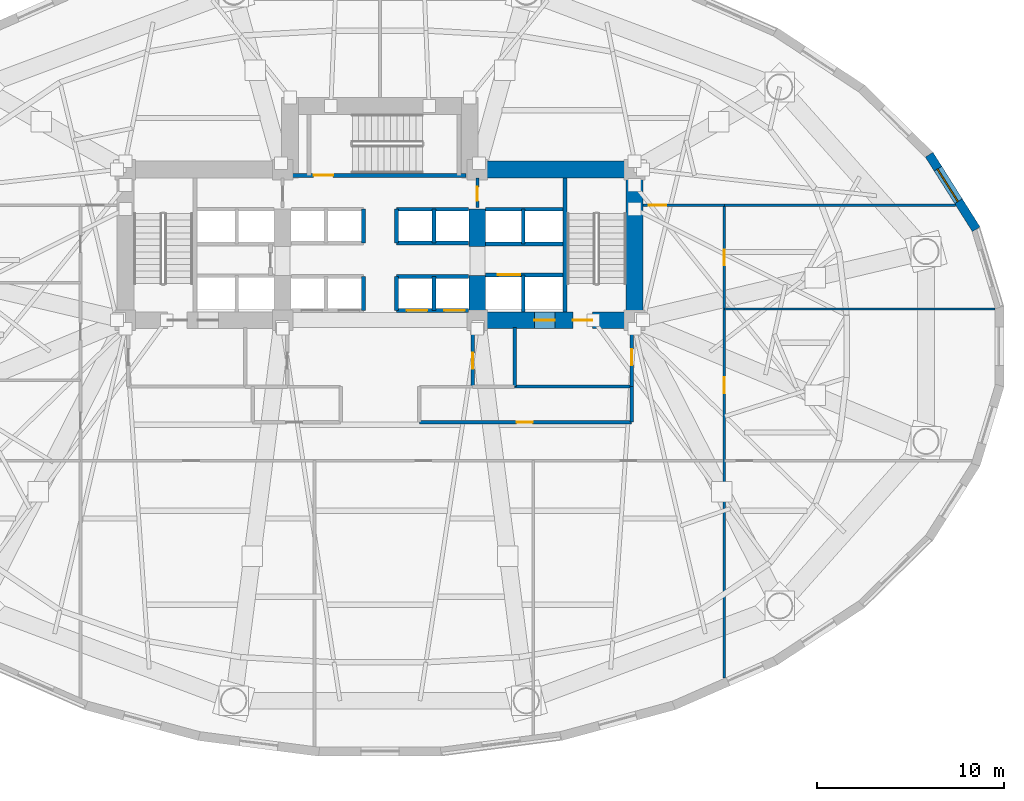
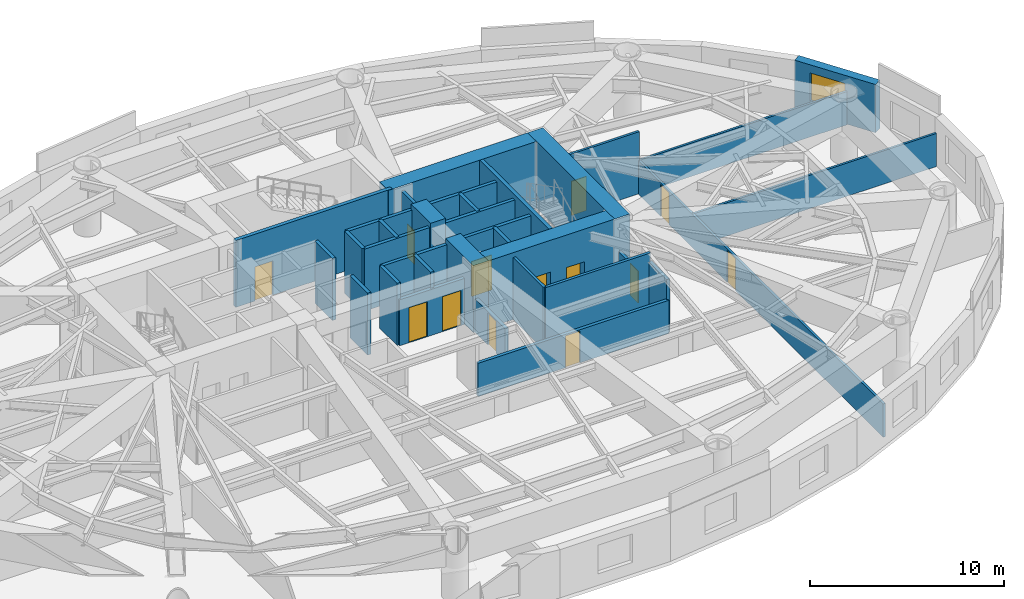
# One storey, part 7 of 14: 34 walls, 13 doors, 1 window, 14 openings.
"""IFC4 building model written with IfcOpenShell, lengths in metres."""

import ifcopenshell
import ifcopenshell.guid

model = None  # the IFC model being written
_history = None  # IfcOwnerHistory: only IFC2X3 demands one
_inside = {}  # id of a spatial element -> (the spatial element, [elements in it])
_under = {}  # id of a project, library or spatial element -> (it, [spatial elements below it])
_declared = {}  # id of a project -> (the project, [libraries it declares])
_typed = {}  # id of a type object -> (the type object, [elements of that type])
_made_of = {}  # id of a material, layer set ... -> (it, [elements and type objects made of it])


def new_model(schema):
    """Start an empty IFC model of exactly this schema.

    Asked for "IFC4X3", IfcOpenShell would pick the latest addendum, in which some entities
    have other attributes; the version numbers below select the first issue.
    IFC2X3 requires an IfcOwnerHistory on every rooted entity: one is made here for all.
    """
    global model, _history
    if schema == "IFC4X3":
        model = ifcopenshell.file(schema_version=(4, 3, 0, 0))
    else:
        model = ifcopenshell.file(schema=schema)
    _inside.clear()
    _under.clear()
    _declared.clear()
    _typed.clear()
    _made_of.clear()
    _history = None
    if model.schema == "IFC2X3":
        org = make("IfcOrganization", Name="unknown")
        user = make(
            "IfcPersonAndOrganization",
            ThePerson=make("IfcPerson", FamilyName="unknown"),
            TheOrganization=org,
        )
        app = make(
            "IfcApplication",
            ApplicationDeveloper=org,
            Version="unknown",
            ApplicationFullName="unknown",
            ApplicationIdentifier="unknown",
        )
        _history = make(
            "IfcOwnerHistory",
            OwningUser=user,
            OwningApplication=app,
            ChangeAction="ADDED",
            CreationDate=0,
        )
    return model


def make(cls, **values):
    """One entity of the class cls with the attributes given. An attribute that is None is left unset."""
    return model.create_entity(
        cls, **{name: value for name, value in values.items() if value is not None}
    )


def rooted(cls, **values):
    """An entity with a GlobalId (a new one), such as an element, a storey or a relation."""
    return make(cls, GlobalId=ifcopenshell.guid.new(), OwnerHistory=_history, **values)


def si_unit(unit_type, name, prefix=None):
    """IfcSIUnit, for example si_unit("LENGTHUNIT", "METRE", prefix="MILLI")."""
    return make("IfcSIUnit", UnitType=unit_type, Prefix=prefix, Name=name)


def assignment(units):
    """IfcUnitAssignment: the units of a project."""
    return None if units is None else make("IfcUnitAssignment", Units=units)


def point(xyz):
    """IfcCartesianPoint."""
    return None if xyz is None else make("IfcCartesianPoint", Coordinates=xyz)


def direction(xyz):
    """IfcDirection."""
    return None if xyz is None else make("IfcDirection", DirectionRatios=xyz)


def frame(location, z_axis=None, x_axis=None):
    """IfcAxis2Placement3D, a coordinate frame: its origin and axes. An axis left out is left unset."""
    return make(
        "IfcAxis2Placement3D",
        Location=point(location),
        Axis=direction(z_axis),
        RefDirection=direction(x_axis),
    )


def frame_2d(location, x_axis=None):
    """IfcAxis2Placement2D, a coordinate frame in the plane: its origin and x axis."""
    return make(
        "IfcAxis2Placement2D", Location=point(location), RefDirection=direction(x_axis)
    )


def origin():
    """The frame at (0, 0, 0) with its axes left unset."""
    return frame((0.0, 0.0, 0.0))


def place(relative_to, where):
    """IfcLocalPlacement: puts the frame where relative to a parent placement (None: the world)."""
    return make(
        "IfcLocalPlacement", PlacementRelTo=relative_to, RelativePlacement=where
    )


def context(
    kind, dimensions, precision=None, world=None, true_north=None, identifier=None
):
    """IfcGeometricRepresentationContext, for example the 3D "Model" context."""
    return make(
        "IfcGeometricRepresentationContext",
        ContextIdentifier=identifier,
        ContextType=kind,
        CoordinateSpaceDimension=dimensions,
        Precision=precision,
        WorldCoordinateSystem=world,
        TrueNorth=true_north,
    )


def subcontext(parent, identifier, kind, view, scale=None):
    """IfcGeometricRepresentationSubContext, for example "Body" below "Model"."""
    return make(
        "IfcGeometricRepresentationSubContext",
        ContextIdentifier=identifier,
        ContextType=kind,
        ParentContext=parent,
        TargetScale=scale,
        TargetView=view,
    )


def project(units=None, contexts=None):
    """IfcProject with its units and contexts."""
    return rooted(
        "IfcProject",
        Name="project",
        RepresentationContexts=contexts,
        UnitsInContext=assignment(units),
    )


def spatial(cls, under=None, at=None, **own):
    """A site, building, storey or space (cls), placed at a placement, below another one or the project."""
    s = rooted(cls, ObjectPlacement=at, **own)
    if under is not None:
        _under.setdefault(under.id(), (under, []))[1].append(s)
    return s


def profile(cls, at=None, kind="AREA", **sizes):
    """A parametric profile (cls). Its sizes go by their IFC names, for example OverallWidth=200.0."""
    return make(cls, ProfileType=kind, Position=at, **sizes)


def rectangle(**sizes):
    """IfcRectangleProfileDef."""
    return profile("IfcRectangleProfileDef", **sizes)


def extrude(swept, where, along, depth):
    """IfcExtrudedAreaSolid: the profile swept, set in the frame where, extruded along a direction by depth."""
    return make(
        "IfcExtrudedAreaSolid",
        SweptArea=swept,
        Position=where,
        ExtrudedDirection=direction(along),
        Depth=depth,
    )


def shape(context_of_items, identifier, shape_type, items):
    """IfcShapeRepresentation: the items that make up one representation, for example the "Body"."""
    return make(
        "IfcShapeRepresentation",
        ContextOfItems=context_of_items,
        RepresentationIdentifier=identifier,
        RepresentationType=shape_type,
        Items=items,
    )


def material(Name=None, Category=None):
    """IfcMaterial."""
    return make("IfcMaterial", Name=Name, Category=Category)


def layer(
    of_material, thickness, ventilated=None, Name=None, Category=None, Priority=None
):
    """IfcMaterialLayer: one layer of a wall or slab, of a material (None: an air gap)."""
    return make(
        "IfcMaterialLayer",
        Material=of_material,
        LayerThickness=thickness,
        IsVentilated=ventilated,
        Name=Name,
        Category=Category,
        Priority=Priority,
    )


def layer_set(layers, Name=None):
    """IfcMaterialLayerSet."""
    return make("IfcMaterialLayerSet", MaterialLayers=layers, LayerSetName=Name)


def made_of(thing, what):
    """Note that an element or type object is made of a material, layer set ...; save() writes the relation."""
    if what is not None:
        _made_of.setdefault(what.id(), (what, []))[1].append(thing)
    return thing


def type_object(cls, material=None, **own):
    """A type object (cls), such as IfcWallType, which elements share."""
    return made_of(rooted(cls, **own), material)


def element(
    cls,
    number,
    at=None,
    inside=None,
    cuts=None,
    type_object=None,
    material=None,
    context=None,
    identifier="Body",
    shape_type=None,
    held_by="IfcProductDefinitionShape",
    body=None,
    shapes=None,
    **own,
):
    """One element of the class cls, such as IfcWall. Its Tag is "e" and its number.

    at: its placement. inside: the storey or other place that contains it. cuts: it is an
    opening in that element (IfcRelVoidsElement). A single representation is given by context,
    identifier, shape_type and body (its items); several are given by shapes. held_by: the class
    of the entity that holds the representations. save() writes the other relations.
    """
    e = rooted(cls, Tag="e%d" % number, ObjectPlacement=at, **own)
    if body is not None:
        shapes = [shape(context, identifier, shape_type, body)]
    if shapes is not None:
        e.Representation = make(held_by, Representations=shapes)
    if inside is not None:
        _inside.setdefault(inside.id(), (inside, []))[1].append(e)
    if cuts is not None:
        rooted(
            "IfcRelVoidsElement", RelatingBuildingElement=cuts, RelatedOpeningElement=e
        )
    if type_object is not None:
        _typed.setdefault(type_object.id(), (type_object, []))[1].append(e)
    return made_of(e, material)


def fill(opening, filler):
    """IfcRelFillsElement: the door or window that sits in an opening."""
    return rooted(
        "IfcRelFillsElement",
        RelatingOpeningElement=opening,
        RelatedBuildingElement=filler,
    )


def aggregate(whole, parts):
    """IfcRelAggregates: a whole, such as a stair, and the parts it consists of."""
    return rooted("IfcRelAggregates", RelatingObject=whole, RelatedObjects=parts)


def save(model, path):
    """Write the relations noted so far, then the file.

    IfcRelAggregates (storeys below a building ...), IfcRelContainedInSpatialStructure (elements
    in a storey), IfcRelDefinesByType, IfcRelAssociatesMaterial and IfcRelDeclares: one each for
    every whole, place, type object, material and project.
    """
    for whole, parts in _under.values():
        aggregate(whole, parts)
    for where, things in _inside.values():
        rooted(
            "IfcRelContainedInSpatialStructure",
            RelatedElements=things,
            RelatingStructure=where,
        )
    for kind, things in _typed.values():
        rooted("IfcRelDefinesByType", RelatedObjects=things, RelatingType=kind)
    for what, things in _made_of.values():
        rooted("IfcRelAssociatesMaterial", RelatedObjects=things, RelatingMaterial=what)
    for by, libraries in _declared.values():
        rooted("IfcRelDeclares", RelatingContext=by, RelatedDefinitions=libraries)
    model.write(path)


model = new_model("IFC4")

# Units and contexts
model_context = context("Model", 3, precision=1e-05, world=origin(), true_north=direction((0.0, 1.0)))
body_context = subcontext(model_context, "Body", "Model", "MODEL_VIEW")
ifc_project = project(units=[si_unit("LENGTHUNIT", "METRE"), si_unit("AREAUNIT", "SQUARE_METRE"), si_unit("VOLUMEUNIT", "CUBIC_METRE"), si_unit("PLANEANGLEUNIT", "RADIAN"), si_unit("MASSUNIT", "GRAM", prefix="KILO")], contexts=[model_context])

# Site, building, storey
site_placement = place(None, origin())
site = spatial("IfcSite", under=ifc_project, at=site_placement, CompositionType="ELEMENT")
building_placement = place(site_placement, origin())
building = spatial("IfcBuilding", under=site, at=building_placement, Name="Keldmark Tower", CompositionType="ELEMENT")
storey_placement = place(building_placement, frame((0.0, 0.0, 22.800048828125)))
storey = spatial("IfcBuildingStorey", under=building, at=storey_placement, Name="L05", CompositionType="ELEMENT", Elevation=22.800048828125)

# Wall, openings, doors
ifc_material_1 = material(Name="Acoustic Double-Layer Gypsum Corridor Partition", Category="gypsum")
ifc_layer_1 = layer(ifc_material_1, 0.139892578125)
ifc_layer_set_1 = layer_set([ifc_layer_1], Name="Acoustic Double-Layer Gypsum Corridor Partition")
wall_type_1 = type_object("IfcWallType", Name="Acoustic Corridor Partition 140 mm", PredefinedType="PARTITIONING", material=ifc_layer_set_1)
wall_1_placement = place(storey_placement, frame((18.39990234375, -17.724853515625, 0.0), z_axis=(0.0, 0.0, 1.0), x_axis=(0.0, 1.0, 0.0)))
wall_1 = element("IfcWall", 1, at=wall_1_placement, inside=storey, type_object=wall_type_1, Name="L05 Acoustic Corridor Partition 140 mm COR-E", PredefinedType="PARTITIONING", context=body_context, shape_type="SweptSolid", body=[
    extrude(rectangle(XDim=25.27490234375, YDim=0.139892578125, at=frame_2d((12.637451171875, 0.0))), origin(), (0.0, 0.0, 1.0), 2.08984375),
])
opening_1_placement = place(wall_1_placement, frame((15.225341796875, 0.0, 0.0)))
opening_1 = element("IfcOpeningElement", 2, at=opening_1_placement, cuts=wall_1, Name="Opening D-CUD85", PredefinedType="OPENING", context=body_context, shape_type="SweptSolid", body=[
    extrude(rectangle(XDim=0.85009765625, YDim=2.0, at=frame_2d((0.425048828125, 1.0))), frame((0.0, 0.079833984375, 0.0), z_axis=(0.0, -1.0, 0.0), x_axis=(1.0, 0.0, 0.0)), (0.0, 0.0, 1.0), 0.159912109375),
])
opening_2_placement = place(wall_1_placement, frame((22.05029296875, 0.0, 0.0)))
opening_2 = element("IfcOpeningElement", 3, at=opening_2_placement, cuts=wall_1, Name="Opening D-CUD85", PredefinedType="OPENING", context=body_context, shape_type="SweptSolid", body=[
    extrude(rectangle(XDim=0.85009765625, YDim=2.0, at=frame_2d((0.425048828125, 1.0))), frame((0.0, 0.079833984375, 0.0), z_axis=(0.0, -1.0, 0.0), x_axis=(1.0, 0.0, 0.0)), (0.0, 0.0, 1.0), 0.159912109375),
])
ifc_material_2 = material(Name="Compact Flush Solid-Core Timber Door", Category="wood")
door_type_1 = type_object("IfcDoorType", Name="Compact Unrated Door 850x2000", OperationType="NOTDEFINED", PredefinedType="DOOR", material=ifc_material_2)
door_1_placement = place(opening_1_placement, origin())
door_1 = element("IfcDoor", 4, at=door_1_placement, inside=storey, type_object=door_type_1, Name="L05 Compact Unrated Door 850x2000 D-ER-1-L05", OperationType="SINGLE_SWING_RIGHT", OverallHeight=2.0, OverallWidth=0.85009765625, PredefinedType="DOOR", context=body_context, shape_type="SweptSolid", body=[
    extrude(rectangle(XDim=0.85009765625, YDim=2.0, at=frame_2d((0.425048828125, 1.0))), frame((0.0, 0.02490234375, 0.0), z_axis=(0.0, -1.0, 0.0), x_axis=(1.0, 0.0, 0.0)), (0.0, 0.0, 1.0), 0.050048828125),
])
fill(opening_1, door_1)
door_2_placement = place(opening_2_placement, origin())
door_2 = element("IfcDoor", 5, at=door_2_placement, inside=storey, type_object=door_type_1, Name="L05 Compact Unrated Door 850x2000 D-ER-2-L05", OperationType="SINGLE_SWING_LEFT", OverallHeight=2.0, OverallWidth=0.85009765625, PredefinedType="DOOR", context=body_context, shape_type="SweptSolid", body=[
    extrude(rectangle(XDim=0.85009765625, YDim=2.0, at=frame_2d((0.425048828125, 1.0))), frame((0.0, 0.02490234375, 0.0), z_axis=(0.0, -1.0, 0.0), x_axis=(1.0, 0.0, 0.0)), (0.0, 0.0, 1.0), 0.050048828125),
])
fill(opening_2, door_2)

# Wall, opening, door
wall_2_placement = place(storey_placement, frame((14.050048828125, 7.550048828125, 0.0), z_axis=(0.0, 0.0, 1.0), x_axis=(1.0, 0.0, 0.0)))
wall_2 = element("IfcWall", 6, at=wall_2_placement, inside=storey, type_object=wall_type_1, Name="L05 Acoustic Corridor Partition 140 mm COR-EN-CAP", PredefinedType="PARTITIONING", context=body_context, shape_type="SweptSolid", body=[
    extrude(rectangle(XDim=4.349853515625, YDim=0.139892578125, at=frame_2d((2.1748046875, 0.0))), origin(), (0.0, 0.0, 1.0), 3.89990234375),
])
opening_3_placement = place(wall_2_placement, frame((0.320068359375, 0.0, 0.0)))
opening_3 = element("IfcOpeningElement", 7, at=opening_3_placement, cuts=wall_2, Name="Opening D-EX092", PredefinedType="OPENING", context=body_context, shape_type="SweptSolid", body=[
    extrude(rectangle(XDim=0.919921875, YDim=2.14990234375, at=frame_2d((0.4599609375, 1.074951171875))), frame((0.0, 0.079833984375, 0.0), z_axis=(0.0, -1.0, 0.0), x_axis=(1.0, 0.0, 0.0)), (0.0, 0.0, 1.0), 0.159912109375),
])
ifc_material_3 = material(Name="Flush American Ash Executive Office Door", Category="wood")
door_type_2 = type_object("IfcDoorType", Name="Executive Office Door 920x2150", OperationType="NOTDEFINED", PredefinedType="DOOR", material=ifc_material_3)
door_3_placement = place(opening_3_placement, origin())
door_3 = element("IfcDoor", 8, at=door_3_placement, inside=storey, type_object=door_type_2, Name="L05 Executive Office Door 920x2150 D-NRNE-L05", OperationType="SINGLE_SWING_RIGHT", OverallHeight=2.14990234375, OverallWidth=0.919921875, PredefinedType="DOOR", context=body_context, shape_type="SweptSolid", body=[
    extrude(rectangle(XDim=0.919921875, YDim=2.14990234375, at=frame_2d((0.4599609375, 1.074951171875))), frame((0.0, 0.02490234375, 0.0), z_axis=(0.0, -1.0, 0.0), x_axis=(1.0, 0.0, 0.0)), (0.0, 0.0, 1.0), 0.050048828125),
])
fill(opening_3, door_3)

ifc_material_4 = material(Name="Heavy Acoustic Plumbing Chase Gypsum Assembly", Category="gypsum")
ifc_layer_2 = layer(ifc_material_4, 0.18994140625)
ifc_layer_set_2 = layer_set([ifc_layer_2], Name="Heavy Acoustic Plumbing Chase Gypsum Assembly")
wall_type_2 = type_object("IfcWallType", Name="Heavy Wet Wall 190 mm", PredefinedType="PLUMBINGWALL", material=ifc_layer_set_2)
wall_3_placement = place(storey_placement, frame((2.10009765625, -4.050048828125, 0.0), z_axis=(0.0, 0.0, 1.0), x_axis=(1.0, 0.0, 0.0)))
wall_3 = element("IfcWall", 9, at=wall_3_placement, inside=storey, type_object=wall_type_2, Name="L05 Heavy Wet Wall 190 mm SPK-E-S", PredefinedType="PLUMBINGWALL", context=body_context, shape_type="SweptSolid", body=[
    extrude(rectangle(XDim=11.349853515625, YDim=0.18994140625, at=frame_2d((5.6748046875, 0.0))), origin(), (0.0, 0.0, 1.0), 2.08984375),
])
opening_4_placement = place(wall_3_placement, frame((5.199951171875, 0.0, 0.0)))
opening_4 = element("IfcOpeningElement", 10, at=opening_4_placement, cuts=wall_3, Name="Opening D-CUD85", PredefinedType="OPENING", context=body_context, shape_type="SweptSolid", body=[
    extrude(rectangle(XDim=0.85009765625, YDim=2.0, at=frame_2d((0.425048828125, 1.0))), frame((0.0, 0.10498046875, 0.0), z_axis=(0.0, -1.0, 0.0), x_axis=(1.0, 0.0, 0.0)), (0.0, 0.0, 1.0), 0.2099609375),
])
door_4_placement = place(opening_4_placement, origin())
door_4 = element("IfcDoor", 11, at=door_4_placement, inside=storey, type_object=door_type_1, Name="L05 Compact Unrated Door 850x2000 D-SPKE1-L05", OperationType="SINGLE_SWING_RIGHT", OverallHeight=2.0, OverallWidth=0.85009765625, PredefinedType="DOOR", context=body_context, shape_type="SweptSolid", body=[
    extrude(rectangle(XDim=0.85009765625, YDim=2.0, at=frame_2d((0.425048828125, 1.0))), frame((0.0, 0.02490234375, 0.0), z_axis=(0.0, -1.0, 0.0), x_axis=(1.0, 0.0, 0.0)), (0.0, 0.0, 1.0), 0.050048828125),
])
fill(opening_4, door_4)

# Walls
wall_4_placement = place(storey_placement, frame((13.449951171875, -4.050048828125, 0.0), z_axis=(0.0, 0.0, 1.0), x_axis=(0.0, 1.0, 0.0)))
element("IfcWall", 12, at=wall_4_placement, inside=storey, type_object=wall_type_2, Name="L05 Heavy Wet Wall 190 mm SPK-E-E", PredefinedType="PLUMBINGWALL", context=body_context, shape_type="SweptSolid", body=[
    extrude(rectangle(XDim=1.900146484375, YDim=0.18994140625, at=frame_2d((0.9501953125, 0.0))), origin(), (0.0, 0.0, 1.0), 3.35302734375),
])
ifc_material_5 = material(Name="Acoustic Gypsum Board Interior Partition", Category="gypsum")
ifc_layer_3 = layer(ifc_material_5, 0.1298828125)
ifc_layer_set_3 = layer_set([ifc_layer_3], Name="Acoustic Gypsum Board Interior Partition")
wall_type_3 = type_object("IfcWallType", Name="Interior Partition 130 mm", PredefinedType="PARTITIONING", material=ifc_layer_set_3)
wall_5_placement = place(storey_placement, frame((18.39990234375, 7.550048828125, 0.0), z_axis=(0.0, 0.0, 1.0), x_axis=(1.0, 0.0, 0.0)))
element("IfcWall", 13, at=wall_5_placement, inside=storey, type_object=wall_type_3, Name="L05 Interior Partition 130 mm E-CAP-N", PredefinedType="PARTITIONING", context=body_context, shape_type="SweptSolid", body=[
    extrude(rectangle(XDim=12.3466796875, YDim=0.1298828125, at=frame_2d((6.17333984375, 0.0))), origin(), (0.0, 0.0, 1.0), 2.08984375),
])
wall_6_placement = place(storey_placement, frame((18.39990234375, 2.0, 0.0), z_axis=(0.0, 0.0, 1.0), x_axis=(1.0, 0.0, 0.0)))
element("IfcWall", 14, at=wall_6_placement, inside=storey, type_object=wall_type_3, Name="L05 Interior Partition 130 mm E-DIV-1", PredefinedType="PARTITIONING", context=body_context, shape_type="SweptSolid", body=[
    extrude(rectangle(XDim=14.45068359375, YDim=0.1298828125, at=frame_2d((7.225341796875, 0.0))), origin(), (0.0, 0.0, 1.0), 2.08984375),
])
ifc_material_6 = material(Name="Concrete C70/85", Category="concrete")
ifc_layer_4 = layer(ifc_material_6, 0.89990234375)
ifc_layer_set_4 = layer_set([ifc_layer_4], Name="Concrete C70/85")
wall_type_4 = type_object("IfcWallType", Name="Lower Core Shear Wall 900 mm", PredefinedType="SHEAR", material=ifc_layer_set_4)
wall_7_placement = place(storey_placement, frame((13.60009765625, 0.949951171875, 0.0), z_axis=(0.0, 0.0, 1.0), x_axis=(0.0, 1.0, 0.0)))
element("IfcWall", 15, at=wall_7_placement, inside=storey, type_object=wall_type_4, Name="L05 East Core Outer Shear Wall", PredefinedType="SHEAR", context=body_context, shape_type="SweptSolid", body=[
    extrude(rectangle(XDim=8.949951171875, YDim=0.89990234375, at=frame_2d((4.47509765625, 0.0))), origin(), (0.0, 0.0, 1.0), 4.199951171875),
])
wall_8_placement = place(storey_placement, frame((4.35009765625, 9.449951171875, 0.0), z_axis=(0.0, 0.0, 1.0), x_axis=(1.0, 0.0, 0.0)))
element("IfcWall", 16, at=wall_8_placement, inside=storey, type_object=wall_type_4, Name="L05 East Core North Shear Wall", PredefinedType="SHEAR", context=body_context, shape_type="SweptSolid", body=[
    extrude(rectangle(XDim=9.699951171875, YDim=0.89990234375, at=frame_2d((4.85009765625, 0.0))), origin(), (0.0, 0.0, 1.0), 4.199951171875),
])

# Wall, openings, doors
wall_9_placement = place(storey_placement, frame((14.050048828125, 1.39990234375, 0.0), z_axis=(0.0, 0.0, 1.0), x_axis=(-1.0, 0.0, 0.0)))
wall_9 = element("IfcWall", 17, at=wall_9_placement, inside=storey, type_object=wall_type_4, Name="L05 East Core South Shear Wall", PredefinedType="SHEAR", context=body_context, shape_type="SweptSolid", body=[
    extrude(rectangle(XDim=9.300048828125, YDim=0.89990234375, at=frame_2d((4.64990234375, 0.0))), origin(), (0.0, 0.0, 1.0), 4.199951171875),
])
opening_5_placement = place(wall_9_placement, frame((2.699951171875, 0.0, 0.0)))
opening_5 = element("IfcOpeningElement", 18, at=opening_5_placement, cuts=wall_9, Name="Opening D-ST105", PredefinedType="OPENING", context=body_context, shape_type="SweptSolid", body=[
    extrude(rectangle(XDim=1.050048828125, YDim=2.14990234375, at=frame_2d((0.52490234375, 1.074951171875))), frame((0.0, 0.4599609375, 0.0), z_axis=(0.0, -1.0, 0.0), x_axis=(1.0, 0.0, 0.0)), (0.0, 0.0, 1.0), 0.919921875),
])
opening_6_placement = place(wall_9_placement, frame((4.699951171875, 0.0, 0.0)))
opening_6 = element("IfcOpeningElement", 19, at=opening_6_placement, cuts=wall_9, Name="Opening LD-110", PredefinedType="OPENING", context=body_context, shape_type="SweptSolid", body=[
    extrude(rectangle(XDim=1.10009765625, YDim=2.199951171875, at=frame_2d((0.550048828125, 1.10009765625))), frame((0.0, 0.4599609375, 0.0), z_axis=(0.0, -1.0, 0.0), x_axis=(1.0, 0.0, 0.0)), (0.0, 0.0, 1.0), 0.919921875),
])
ifc_material_7 = material(Name="Brushed Bronze Hoistway Sliding Leaf", Category="metal")
door_type_3 = type_object("IfcDoorType", Name="Lift Landing Sliding Door 1100x2200", OperationType="SLIDING_TO_LEFT", PredefinedType="DOOR", material=ifc_material_7)
door_5_placement = place(opening_6_placement, origin())
door_5 = element("IfcDoor", 20, at=door_5_placement, inside=storey, type_object=door_type_3, Name="L05 Lift Landing Sliding Door 1100x2200 LD-EL-FS2-L05", OperationType="SLIDING_TO_LEFT", OverallHeight=2.199951171875, OverallWidth=1.10009765625, PredefinedType="DOOR", context=body_context, shape_type="SweptSolid", body=[
    extrude(rectangle(XDim=1.10009765625, YDim=2.199951171875, at=frame_2d((0.550048828125, 1.10009765625))), frame((0.0, 0.02490234375, 0.0), z_axis=(0.0, -1.0, 0.0), x_axis=(1.0, 0.0, 0.0)), (0.0, 0.0, 1.0), 0.050048828125),
])
fill(opening_6, door_5)
ifc_material_8 = material(Name="Hollow Metal Fire-Rated Door Assembly", Category="metal")
door_type_4 = type_object("IfcDoorType", Name="Stair Fire Door 1050x2150", OperationType="NOTDEFINED", PredefinedType="DOOR", material=ifc_material_8)
door_6_placement = place(opening_5_placement, origin())
door_6 = element("IfcDoor", 21, at=door_6_placement, inside=storey, type_object=door_type_4, Name="L05 Stair Fire Door 1050x2150 D-ST2-L05", OperationType="SINGLE_SWING_LEFT", OverallHeight=2.14990234375, OverallWidth=1.050048828125, PredefinedType="DOOR", context=body_context, shape_type="SweptSolid", body=[
    extrude(rectangle(XDim=1.050048828125, YDim=2.14990234375, at=frame_2d((0.52490234375, 1.074951171875))), frame((0.0, 0.02490234375, 0.0), z_axis=(0.0, -1.0, 0.0), x_axis=(1.0, 0.0, 0.0)), (0.0, 0.0, 1.0), 0.050048828125),
])
fill(opening_5, door_6)

# Walls
wall_10_placement = place(storey_placement, frame((5.199951171875, 0.949951171875, 0.0), z_axis=(0.0, 0.0, 1.0), x_axis=(0.0, 1.0, 0.0)))
element("IfcWall", 22, at=wall_10_placement, inside=storey, type_object=wall_type_4, Name="L05 East Core Inner Shear Pier South", PredefinedType="SHEAR", context=body_context, shape_type="SweptSolid", body=[
    extrude(rectangle(XDim=2.85009765625, YDim=0.89990234375, at=frame_2d((1.425048828125, 0.0))), origin(), (0.0, 0.0, 1.0), 4.199951171875),
])
wall_11_placement = place(storey_placement, frame((5.199951171875, 5.35009765625, 0.0), z_axis=(0.0, 0.0, 1.0), x_axis=(0.0, 1.0, 0.0)))
element("IfcWall", 23, at=wall_11_placement, inside=storey, type_object=wall_type_4, Name="L05 East Core Inner Shear Pier North", PredefinedType="SHEAR", context=body_context, shape_type="SweptSolid", body=[
    extrude(rectangle(XDim=2.0, YDim=0.89990234375, at=frame_2d((1.0, 0.0))), origin(), (0.0, 0.0, 1.0), 4.199951171875),
])

# Wall, opening, window
ifc_material_9 = material(Name="Ironspot Manganese Brick and Kasota Buff Limestone Cavity Assembly", Category="masonry")
ifc_layer_5 = layer(ifc_material_9, 0.47998046875)
ifc_layer_set_5 = layer_set([ifc_layer_5], Name="Ironspot Manganese Brick and Kasota Buff Limestone Cavity Assembly")
wall_type_5 = type_object("IfcWallType", Name="Podium Brick and Limestone Cavity Wall 480 mm", PredefinedType="STANDARD", material=ifc_layer_set_5)
wall_12_placement = place(storey_placement, frame((29.34130859375, 10.24267578125, 0.0), z_axis=(0.0, 0.0, 1.0), x_axis=(0.53349762721, -0.845801561693, 0.0)))
wall_12 = element("IfcWall", 24, at=wall_12_placement, inside=storey, type_object=wall_type_5, Name="L05 Exterior Brick and Spandrel Wall 02", PredefinedType="STANDARD", context=body_context, shape_type="SweptSolid", body=[
    extrude(rectangle(XDim=4.710693359375, YDim=0.47998046875, at=frame_2d((2.35546875, 0.0))), origin(), (0.0, 0.0, 1.0), 3.032958984375),
])
opening_7_placement = place(wall_12_placement, frame((0.88818359375, 0.0, 0.719970703125)))
opening_7 = element("IfcOpeningElement", 25, at=opening_7_placement, cuts=wall_12, Name="Opening W-07", PredefinedType="OPENING", context=body_context, shape_type="SweptSolid", body=[
    extrude(rectangle(XDim=2.050048828125, YDim=1.800048828125, at=frame_2d((1.02490234375, 0.89990234375))), frame((0.0, 0.25, 0.0), z_axis=(0.0, -1.0, 0.0), x_axis=(1.0, 0.0, 0.0)), (0.0, 0.0, 1.0), 0.5),
])
ifc_material_10 = material(Name="Thermally Broken Anodized Aluminum and Triple Low-E Argon Glazing", Category="aluminium")
window_type = type_object("IfcWindowType", Name="Podium Mezzanine Punched Window 2050x1800", PartitioningType="DOUBLE_PANEL_VERTICAL", PredefinedType="WINDOW", material=ifc_material_10)
window_placement = place(opening_7_placement, origin())
window = element("IfcWindow", 26, at=window_placement, inside=storey, type_object=window_type, Name="L05 Deep-Set Window 02", OverallHeight=1.800048828125, OverallWidth=2.050048828125, PartitioningType="SINGLE_PANEL", PredefinedType="WINDOW", context=body_context, shape_type="SweptSolid", body=[
    extrude(rectangle(XDim=2.050048828125, YDim=1.800048828125, at=frame_2d((1.02490234375, 0.89990234375))), frame((0.0, -0.010009765625, 0.0), z_axis=(0.0, -1.0, 0.0), x_axis=(1.0, 0.0, 0.0)), (0.0, 0.0, 1.0), 0.06005859375),
])
fill(opening_7, window)

# Walls
ifc_material_11 = material(Name="Type X Fire-Rated Gypsum Partition Assembly", Category="gypsum")
ifc_layer_6 = layer(ifc_material_11, 0.1650390625)
ifc_layer_set_6 = layer_set([ifc_layer_6], Name="Type X Fire-Rated Gypsum Partition Assembly")
wall_type_6 = type_object("IfcWallType", Name="Rated Partition 165 mm", PredefinedType="PARTITIONING", material=ifc_layer_set_6)
wall_13_placement = place(storey_placement, frame((7.199951171875, -2.14990234375, 0.0), z_axis=(0.0, 0.0, 1.0), x_axis=(1.0, 0.0, 0.0)))
element("IfcWall", 27, at=wall_13_placement, inside=storey, type_object=wall_type_6, Name="L05 Rated Partition 165 mm FSAE-E-S", PredefinedType="PARTITIONING", context=body_context, shape_type="SweptSolid", body=[
    extrude(rectangle(XDim=6.25, YDim=0.1650390625, at=frame_2d((3.125, 0.0))), origin(), (0.0, 0.0, 1.0), 3.89990234375),
])
wall_14_placement = place(storey_placement, frame((7.199951171875, -2.14990234375, 0.0), z_axis=(0.0, 0.0, 1.0), x_axis=(0.0, 1.0, 0.0)))
element("IfcWall", 28, at=wall_14_placement, inside=storey, type_object=wall_type_6, Name="L05 Rated Partition 165 mm FSAE-E-W", PredefinedType="PARTITIONING", context=body_context, shape_type="SweptSolid", body=[
    extrude(rectangle(XDim=3.14990234375, YDim=0.1650390625, at=frame_2d((1.574951171875, 0.0))), origin(), (0.0, 0.0, 1.0), 3.89990234375),
])

# Wall, opening, door
wall_15_placement = place(storey_placement, frame((13.449951171875, -2.14990234375, 0.0), z_axis=(0.0, 0.0, 1.0), x_axis=(0.0, 1.0, 0.0)))
wall_15 = element("IfcWall", 29, at=wall_15_placement, inside=storey, type_object=wall_type_6, Name="L05 Rated Partition 165 mm FSAE-E-E", PredefinedType="PARTITIONING", context=body_context, shape_type="SweptSolid", body=[
    extrude(rectangle(XDim=3.14990234375, YDim=0.1650390625, at=frame_2d((1.574951171875, 0.0))), origin(), (0.0, 0.0, 1.0), 2.08984375),
])
opening_8_placement = place(wall_15_placement, frame((1.14990234375, 0.0, 0.0)))
opening_8 = element("IfcOpeningElement", 30, at=opening_8_placement, cuts=wall_15, Name="Opening D-CFD85", PredefinedType="OPENING", context=body_context, shape_type="SweptSolid", body=[
    extrude(rectangle(XDim=0.85009765625, YDim=2.0, at=frame_2d((0.425048828125, 1.0))), frame((0.0, 0.092529296875, 0.0), z_axis=(0.0, -1.0, 0.0), x_axis=(1.0, 0.0, 0.0)), (0.0, 0.0, 1.0), 0.18505859375),
])
ifc_material_12 = material(Name="Compact Headroom Fire-Rated Hollow Metal Door", Category="metal")
door_type_5 = type_object("IfcDoorType", Name="Compact Service Fire Door 850x2000", OperationType="NOTDEFINED", PredefinedType="DOOR", material=ifc_material_12)
door_7_placement = place(opening_8_placement, origin())
door_7 = element("IfcDoor", 31, at=door_7_placement, inside=storey, type_object=door_type_5, Name="L05 Compact Service Fire Door 850x2000 D-FSAEE-OUT-L05", OperationType="SINGLE_SWING_LEFT", OverallHeight=2.0, OverallWidth=0.85009765625, PredefinedType="DOOR", context=body_context, shape_type="SweptSolid", body=[
    extrude(rectangle(XDim=0.85009765625, YDim=2.0, at=frame_2d((0.425048828125, 1.0))), frame((0.0, 0.02490234375, 0.0), z_axis=(0.0, -1.0, 0.0), x_axis=(1.0, 0.0, 0.0)), (0.0, 0.0, 1.0), 0.050048828125),
])
fill(opening_8, door_7)

wall_16_placement = place(storey_placement, frame((5.199951171875, 7.419921875, 0.0), z_axis=(0.0, 0.0, 1.0), x_axis=(0.0, 1.0, 0.0)))
wall_16 = element("IfcWall", 32, at=wall_16_placement, inside=storey, type_object=wall_type_6, Name="L05 Rated Partition 165 mm CS-NE-W", PredefinedType="PARTITIONING", context=body_context, shape_type="SweptSolid", body=[
    extrude(rectangle(XDim=1.580078125, YDim=0.1650390625, at=frame_2d((0.7900390625, 0.0))), origin(), (0.0, 0.0, 1.0), 3.89990234375),
])
opening_9_placement = place(wall_16_placement, frame((0.35009765625, 0.0, 0.0)))
opening_9 = element("IfcOpeningElement", 33, at=opening_9_placement, cuts=wall_16, Name="Opening D-RS075", PredefinedType="OPENING", context=body_context, shape_type="SweptSolid", body=[
    extrude(rectangle(XDim=0.75, YDim=2.10009765625, at=frame_2d((0.375, 1.050048828125))), frame((0.0, 0.092529296875, 0.0), z_axis=(0.0, -1.0, 0.0), x_axis=(1.0, 0.0, 0.0)), (0.0, 0.0, 1.0), 0.18505859375),
])
ifc_material_13 = material(Name="Galvanized Fire-Rated Access Leaf", Category="metal")
door_type_6 = type_object("IfcDoorType", Name="Riser Access Door 750x2100", OperationType="NOTDEFINED", PredefinedType="DOOR", material=ifc_material_13)
door_8_placement = place(opening_9_placement, origin())
door_8 = element("IfcDoor", 34, at=door_8_placement, inside=storey, type_object=door_type_6, Name="L05 Riser Access Door 750x2100 D-CSNE1-L05", OperationType="SINGLE_SWING_LEFT", OverallHeight=2.10009765625, OverallWidth=0.75, PredefinedType="DOOR", context=body_context, shape_type="SweptSolid", body=[
    extrude(rectangle(XDim=0.75, YDim=2.10009765625, at=frame_2d((0.375, 1.050048828125))), frame((0.0, 0.02490234375, 0.0), z_axis=(0.0, -1.0, 0.0), x_axis=(1.0, 0.0, 0.0)), (0.0, 0.0, 1.0), 0.050048828125),
])
fill(opening_9, door_8)

ifc_material_14 = material(Name="Fire-Resistant Type X Gypsum Shaftliner Coreboard", Category="gypsum")
ifc_layer_7 = layer(ifc_material_14, 0.199951171875)
ifc_layer_set_7 = layer_set([ifc_layer_7], Name="Fire-Resistant Type X Gypsum Shaftliner Coreboard")
wall_type_7 = type_object("IfcWallType", Name="Shaft Wall 200 mm", PredefinedType="SOLIDWALL", material=ifc_layer_set_7)
wall_17_placement = place(storey_placement, frame((4.949951171875, -2.14990234375, 0.0), z_axis=(0.0, 0.0, 1.0), x_axis=(0.0, 1.0, 0.0)))
wall_17 = element("IfcWall", 35, at=wall_17_placement, inside=storey, type_object=wall_type_7, Name="L05 Shaft Wall 200 mm RIS-SE-W", PredefinedType="SOLIDWALL", context=body_context, shape_type="SweptSolid", body=[
    extrude(rectangle(XDim=3.14990234375, YDim=0.199951171875, at=frame_2d((1.574951171875, 0.0))), origin(), (0.0, 0.0, 1.0), 2.08984375),
])
opening_10_placement = place(wall_17_placement, frame((0.949951171875, 0.0, 0.0)))
opening_10 = element("IfcOpeningElement", 36, at=opening_10_placement, cuts=wall_17, Name="Opening D-CFD85", PredefinedType="OPENING", context=body_context, shape_type="SweptSolid", body=[
    extrude(rectangle(XDim=0.85009765625, YDim=2.0, at=frame_2d((0.425048828125, 1.0))), frame((0.0, 0.10986328125, 0.0), z_axis=(0.0, -1.0, 0.0), x_axis=(1.0, 0.0, 0.0)), (0.0, 0.0, 1.0), 0.219970703125),
])
door_9_placement = place(opening_10_placement, origin())
door_9 = element("IfcDoor", 37, at=door_9_placement, inside=storey, type_object=door_type_5, Name="L05 Compact Service Fire Door 850x2000 D-RISSE-L05", OperationType="SINGLE_SWING_LEFT", OverallHeight=2.0, OverallWidth=0.85009765625, PredefinedType="DOOR", context=body_context, shape_type="SweptSolid", body=[
    extrude(rectangle(XDim=0.85009765625, YDim=2.0, at=frame_2d((0.425048828125, 1.0))), frame((0.0, 0.02490234375, 0.0), z_axis=(0.0, -1.0, 0.0), x_axis=(1.0, 0.0, 0.0)), (0.0, 0.0, 1.0), 0.050048828125),
])
fill(opening_10, door_9)

wall_18_placement = place(storey_placement, frame((5.64990234375, 3.820068359375, 0.0), z_axis=(0.0, 0.0, 1.0), x_axis=(1.0, 0.0, 0.0)))
wall_18 = element("IfcWall", 38, at=wall_18_placement, inside=storey, type_object=wall_type_7, Name="L05 Shaft Wall 200 mm HW-E-S", PredefinedType="SOLIDWALL", context=body_context, shape_type="SweptSolid", body=[
    extrude(rectangle(XDim=4.130126953125, YDim=0.199951171875, at=frame_2d((2.06494140625, 0.0))), origin(), (0.0, 0.0, 1.0), 3.89990234375),
])
opening_11_placement = place(wall_18_placement, frame((0.64990234375, 0.0, 0.0)))
opening_11 = element("IfcOpeningElement", 39, at=opening_11_placement, cuts=wall_18, Name="Opening LD-120", PredefinedType="OPENING", context=body_context, shape_type="SweptSolid", body=[
    extrude(rectangle(XDim=1.199951171875, YDim=2.199951171875, at=frame_2d((0.60009765625, 1.10009765625))), frame((0.0, 0.10986328125, 0.0), z_axis=(0.0, -1.0, 0.0), x_axis=(1.0, 0.0, 0.0)), (0.0, 0.0, 1.0), 0.219970703125),
])
ifc_material_15 = material(Name="Heavy-Duty Brushed Metal Hoistway Sliding Leaf", Category="metal")
door_type_7 = type_object("IfcDoorType", Name="Service Lift Sliding Door 1200x2200", OperationType="SLIDING_TO_RIGHT", PredefinedType="DOOR", material=ifc_material_15)
door_10_placement = place(opening_11_placement, origin())
door_10 = element("IfcDoor", 40, at=door_10_placement, inside=storey, type_object=door_type_7, Name="L05 Service Lift Sliding Door 1200x2200 LD-EL-SV1-L05", OperationType="SLIDING_TO_RIGHT", OverallHeight=2.199951171875, OverallWidth=1.199951171875, PredefinedType="DOOR", context=body_context, shape_type="SweptSolid", body=[
    extrude(rectangle(XDim=1.199951171875, YDim=2.199951171875, at=frame_2d((0.60009765625, 1.10009765625))), frame((0.0, 0.02490234375, 0.0), z_axis=(0.0, -1.0, 0.0), x_axis=(1.0, 0.0, 0.0)), (0.0, 0.0, 1.0), 0.050048828125),
])
fill(opening_11, door_10)

# Walls
wall_19_placement = place(storey_placement, frame((7.64990234375, 1.85009765625, 0.0), z_axis=(0.0, 0.0, 1.0), x_axis=(0.0, 1.0, 0.0)))
element("IfcWall", 41, at=wall_19_placement, inside=storey, type_object=wall_type_7, Name="L05 Shaft Wall 200 mm HW-E-M", PredefinedType="SOLIDWALL", context=body_context, shape_type="SweptSolid", body=[
    extrude(rectangle(XDim=1.969970703125, YDim=0.199951171875, at=frame_2d((0.98486328125, 0.0))), origin(), (0.0, 0.0, 1.0), 3.89990234375),
])
for number, where, z_axis, x_axis, name in (
    (42, (5.64990234375, 5.469970703125, 0.0), (0.0, 0.0, 1.0), (1.0, 0.0, 0.0), "L05 Shaft Wall 200 mm HW-E-N"),
    (43, (5.64990234375, 7.330078125, 0.0), (0.0, 0.0, 1.0), (1.0, 0.0, 0.0), "L05 Shaft Wall 200 mm HW-E-TOP"),
):
    element("IfcWall", number, at=place(storey_placement, frame(where, z_axis=z_axis, x_axis=x_axis)), inside=storey, type_object=wall_type_7, Name=name, PredefinedType="SOLIDWALL", context=body_context, shape_type="SweptSolid", body=[
        extrude(rectangle(XDim=4.130126953125, YDim=0.199951171875, at=frame_2d((2.06494140625, 0.0))), origin(), (0.0, 0.0, 1.0), 3.89990234375),
    ])
wall_20_placement = place(storey_placement, frame((7.64990234375, 5.469970703125, 0.0), z_axis=(0.0, 0.0, 1.0), x_axis=(0.0, 1.0, 0.0)))
element("IfcWall", 44, at=wall_20_placement, inside=storey, type_object=wall_type_7, Name="L05 Shaft Wall 200 mm HW-E-NM", PredefinedType="SOLIDWALL", context=body_context, shape_type="SweptSolid", body=[
    extrude(rectangle(XDim=1.860107421875, YDim=0.199951171875, at=frame_2d((0.93017578125, 0.0))), origin(), (0.0, 0.0, 1.0), 3.89990234375),
])

# Wall, openings, doors
wall_21_placement = place(storey_placement, frame((0.8798828125, 1.919921875, 0.0), z_axis=(0.0, 0.0, 1.0), x_axis=(1.0, 0.0, 0.0)))
wall_21 = element("IfcWall", 45, at=wall_21_placement, inside=storey, type_object=wall_type_7, Name="L05 Shaft Wall 200 mm LOW-S-E", PredefinedType="SOLIDWALL", context=body_context, shape_type="SweptSolid", body=[
    extrude(rectangle(XDim=3.860107421875, YDim=0.199951171875, at=frame_2d((1.93017578125, 0.0))), origin(), (0.0, 0.0, 1.0), 2.889892578125),
])
opening_12_placement = place(wall_21_placement, frame((0.550048828125, 0.0, 0.0)))
opening_12 = element("IfcOpeningElement", 46, at=opening_12_placement, cuts=wall_21, Name="Opening LD-110", PredefinedType="OPENING", context=body_context, shape_type="SweptSolid", body=[
    extrude(rectangle(XDim=1.10009765625, YDim=2.199951171875, at=frame_2d((0.550048828125, 1.10009765625))), frame((0.0, 0.10986328125, 0.0), z_axis=(0.0, -1.0, 0.0), x_axis=(1.0, 0.0, 0.0)), (0.0, 0.0, 1.0), 0.219970703125),
])
opening_13_placement = place(wall_21_placement, frame((2.550048828125, 0.0, 0.0)))
opening_13 = element("IfcOpeningElement", 47, at=opening_13_placement, cuts=wall_21, Name="Opening LD-110", PredefinedType="OPENING", context=body_context, shape_type="SweptSolid", body=[
    extrude(rectangle(XDim=1.10009765625, YDim=2.199951171875, at=frame_2d((0.550048828125, 1.10009765625))), frame((0.0, 0.10986328125, 0.0), z_axis=(0.0, -1.0, 0.0), x_axis=(1.0, 0.0, 0.0)), (0.0, 0.0, 1.0), 0.219970703125),
])
door_11_placement = place(opening_12_placement, origin())
door_11 = element("IfcDoor", 48, at=door_11_placement, inside=storey, type_object=door_type_3, Name="L05 Lift Landing Sliding Door 1100x2200 LD-EL-L3-L05", OperationType="SLIDING_TO_LEFT", OverallHeight=2.199951171875, OverallWidth=1.10009765625, PredefinedType="DOOR", context=body_context, shape_type="SweptSolid", body=[
    extrude(rectangle(XDim=1.10009765625, YDim=2.199951171875, at=frame_2d((0.550048828125, 1.10009765625))), frame((0.0, 0.02490234375, 0.0), z_axis=(0.0, -1.0, 0.0), x_axis=(1.0, 0.0, 0.0)), (0.0, 0.0, 1.0), 0.050048828125),
])
fill(opening_12, door_11)
door_12_placement = place(opening_13_placement, origin())
door_12 = element("IfcDoor", 49, at=door_12_placement, inside=storey, type_object=door_type_3, Name="L05 Lift Landing Sliding Door 1100x2200 LD-EL-L4-L05", OperationType="SLIDING_TO_LEFT", OverallHeight=2.199951171875, OverallWidth=1.10009765625, PredefinedType="DOOR", context=body_context, shape_type="SweptSolid", body=[
    extrude(rectangle(XDim=1.10009765625, YDim=2.199951171875, at=frame_2d((0.550048828125, 1.10009765625))), frame((0.0, 0.02490234375, 0.0), z_axis=(0.0, -1.0, 0.0), x_axis=(1.0, 0.0, 0.0)), (0.0, 0.0, 1.0), 0.050048828125),
])
fill(opening_13, door_12)

# Walls
wall_22_placement = place(storey_placement, frame((0.8798828125, 3.739990234375, 0.0), z_axis=(0.0, 0.0, 1.0), x_axis=(1.0, 0.0, 0.0)))
element("IfcWall", 50, at=wall_22_placement, inside=storey, type_object=wall_type_7, Name="L05 Shaft Wall 200 mm LOW-N-E", PredefinedType="SOLIDWALL", context=body_context, shape_type="SweptSolid", body=[
    extrude(rectangle(XDim=3.860107421875, YDim=0.199951171875, at=frame_2d((1.93017578125, 0.0))), origin(), (0.0, 0.0, 1.0), 3.89990234375),
])
for number, where, z_axis, x_axis, name in (
    (51, (2.8798828125, 1.919921875, 0.0), (0.0, 0.0, 1.0), (0.0, 1.0, 0.0), "L05 Shaft Wall 200 mm LOW-M-E"),
    (52, (-0.8798828125, 1.919921875, 0.0), (0.0, 0.0, 1.0), (0.0, 1.0, 0.0), "L05 Shaft Wall 200 mm LOW-C-W"),
    (53, (0.8798828125, 1.919921875, 0.0), (0.0, 0.0, 1.0), (0.0, 1.0, 0.0), "L05 Shaft Wall 200 mm LOW-C-E"),
):
    element("IfcWall", number, at=place(storey_placement, frame(where, z_axis=z_axis, x_axis=x_axis)), inside=storey, type_object=wall_type_7, Name=name, PredefinedType="SOLIDWALL", context=body_context, shape_type="SweptSolid", body=[
        extrude(rectangle(XDim=1.820068359375, YDim=0.199951171875, at=frame_2d((0.91015625, 0.0))), origin(), (0.0, 0.0, 1.0), 3.89990234375),
    ])
for number, where, z_axis, x_axis, name in (
    (54, (0.8798828125, 5.52001953125, 0.0), (0.0, 0.0, 1.0), (1.0, 0.0, 0.0), "L05 Shaft Wall 200 mm MID-S-E"),
    (55, (0.8798828125, 7.330078125, 0.0), (0.0, 0.0, 1.0), (1.0, 0.0, 0.0), "L05 Shaft Wall 200 mm MID-N-E"),
):
    element("IfcWall", number, at=place(storey_placement, frame(where, z_axis=z_axis, x_axis=x_axis)), inside=storey, type_object=wall_type_7, Name=name, PredefinedType="SOLIDWALL", context=body_context, shape_type="SweptSolid", body=[
        extrude(rectangle(XDim=3.860107421875, YDim=0.199951171875, at=frame_2d((1.93017578125, 0.0))), origin(), (0.0, 0.0, 1.0), 3.89990234375),
    ])
for number, where, z_axis, x_axis, name in (
    (56, (2.8798828125, 5.52001953125, 0.0), (0.0, 0.0, 1.0), (0.0, 1.0, 0.0), "L05 Shaft Wall 200 mm MID-M-E"),
    (57, (-0.8798828125, 5.52001953125, 0.0), (0.0, 0.0, 1.0), (0.0, 1.0, 0.0), "L05 Shaft Wall 200 mm MID-C-W"),
    (58, (0.8798828125, 5.52001953125, 0.0), (0.0, 0.0, 1.0), (0.0, 1.0, 0.0), "L05 Shaft Wall 200 mm MID-C-E"),
):
    element("IfcWall", number, at=place(storey_placement, frame(where, z_axis=z_axis, x_axis=x_axis)), inside=storey, type_object=wall_type_7, Name=name, PredefinedType="SOLIDWALL", context=body_context, shape_type="SweptSolid", body=[
        extrude(rectangle(XDim=1.81005859375, YDim=0.199951171875, at=frame_2d((0.905029296875, 0.0))), origin(), (0.0, 0.0, 1.0), 3.89990234375),
    ])
ifc_material_16 = material(Name="Concrete C50/60", Category="concrete")
ifc_layer_8 = layer(ifc_material_16, 0.219970703125)
ifc_layer_set_8 = layer_set([ifc_layer_8], Name="Concrete C50/60")
wall_type_8 = type_object("IfcWallType", Name="Stair Core Shear Wall 220 mm", PredefinedType="SHEAR", material=ifc_layer_set_8)
wall_23_placement = place(storey_placement, frame((9.889892578125, 1.85009765625, 0.0), z_axis=(0.0, 0.0, 1.0), x_axis=(0.0, 1.0, 0.0)))
element("IfcWall", 59, at=wall_23_placement, inside=storey, type_object=wall_type_8, Name="L05 East Stair Core Shear Wall", PredefinedType="SHEAR", context=body_context, shape_type="SweptSolid", body=[
    extrude(rectangle(XDim=7.14990234375, YDim=0.219970703125, at=frame_2d((3.574951171875, 0.0))), origin(), (0.0, 0.0, 1.0), 4.199951171875),
])

# Wall, opening, door
wall_24_placement = place(storey_placement, frame((-4.699951171875, 9.139892578125, 0.0), z_axis=(0.0, 0.0, 1.0), x_axis=(1.0, 0.0, 0.0)))
wall_24 = element("IfcWall", 60, at=wall_24_placement, inside=storey, type_object=wall_type_8, Name="L05 Central Stair Core South Shear Wall", PredefinedType="SHEAR", context=body_context, shape_type="SweptSolid", body=[
    extrude(rectangle(XDim=9.300048828125, YDim=0.219970703125, at=frame_2d((4.64990234375, 0.0))), origin(), (0.0, 0.0, 1.0), 4.199951171875),
])
opening_14_placement = place(wall_24_placement, frame((1.14990234375, 0.0, 0.0)))
opening_14 = element("IfcOpeningElement", 61, at=opening_14_placement, cuts=wall_24, Name="Opening D-ST105", PredefinedType="OPENING", context=body_context, shape_type="SweptSolid", body=[
    extrude(rectangle(XDim=1.050048828125, YDim=2.14990234375, at=frame_2d((0.52490234375, 1.074951171875))), frame((0.0, 0.119873046875, 0.0), z_axis=(0.0, -1.0, 0.0), x_axis=(1.0, 0.0, 0.0)), (0.0, 0.0, 1.0), 0.239990234375),
])
door_13_placement = place(opening_14_placement, origin())
door_13 = element("IfcDoor", 62, at=door_13_placement, inside=storey, type_object=door_type_4, Name="L05 Stair Fire Door 1050x2150 D-ST3-L05", OperationType="SINGLE_SWING_RIGHT", OverallHeight=2.14990234375, OverallWidth=1.050048828125, PredefinedType="DOOR", context=body_context, shape_type="SweptSolid", body=[
    extrude(rectangle(XDim=1.050048828125, YDim=2.14990234375, at=frame_2d((0.52490234375, 1.074951171875))), frame((0.0, 0.02490234375, 0.0), z_axis=(0.0, -1.0, 0.0), x_axis=(1.0, 0.0, 0.0)), (0.0, 0.0, 1.0), 0.050048828125),
])
fill(opening_14, door_13)

save(model, "model.ifc")
